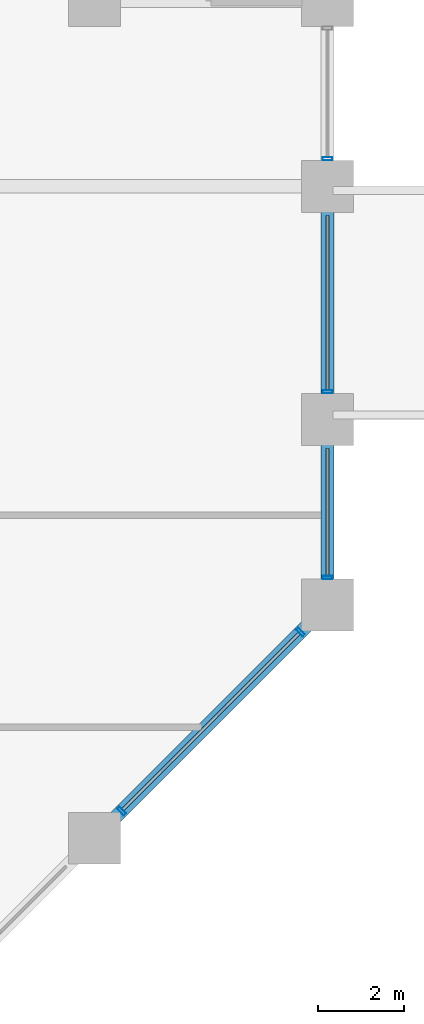
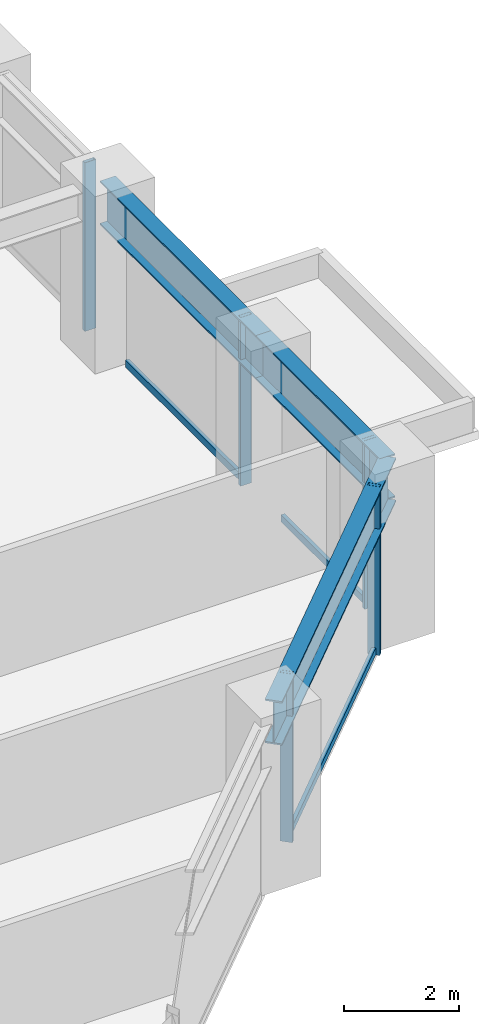
# One storey, part 16 of 26: 8 members, 3 beams, 2 elements without a shape of their own.
"""IFC4 building model written with IfcOpenShell, lengths in metres."""

from ifc_helpers import new_model, si_unit, direction, frame, origin, origin_2d, place, context, subcontext, project, spatial, hollow_rectangle, i_section, extrude, material, layer, layer_set, material_profile, profile_set, type_object, element, aggregate, save


model = new_model("IFC4")

# Units and contexts
model_context = context("Model", 3, precision=1e-05, world=origin(), true_north=direction((0.0, 1.0)))
body_context = subcontext(model_context, "Body", "Model", "MODEL_VIEW")
ifc_project = project(units=[si_unit("LENGTHUNIT", "METRE"), si_unit("AREAUNIT", "SQUARE_METRE"), si_unit("VOLUMEUNIT", "CUBIC_METRE"), si_unit("PLANEANGLEUNIT", "RADIAN"), si_unit("MASSUNIT", "GRAM", prefix="KILO")], contexts=[model_context])

# Site, building, storey
site_placement = place(None, origin())
site = spatial("IfcSite", under=ifc_project, at=site_placement, CompositionType="ELEMENT")
building_placement = place(site_placement, origin())
building = spatial("IfcBuilding", under=site, at=building_placement, Name="Surkhivell Harbour Commons", CompositionType="ELEMENT")
storey_placement = place(building_placement, frame((0.0, 0.0, 71.25)))
storey = spatial("IfcBuildingStorey", under=building, at=storey_placement, Name="L18", CompositionType="ELEMENT", Elevation=71.25)

# Beams
ifc_material_1 = material(Name="Steel S460", Category="steel")
ifc_material_profile_1 = material_profile(ifc_material_1, i_section(OverallWidth=0.30810546875, OverallDepth=0.927001953125, WebThickness=0.01953125, FlangeThickness=0.031982421875, at=origin_2d()), Name="UB914x305x289")
ifc_profile_set_1 = profile_set([ifc_material_profile_1], Name="Steel S460")
beam_type = type_object("IfcBeamType", Name="BM-SPN-914B", PredefinedType="SPANDREL", material=ifc_profile_set_1)
beam_1_placement = place(storey_placement, frame((27.0, 1.10009765625, 3.1064453125), z_axis=(0.707106781187, 0.707106781187, 0.0), x_axis=(-0.707106781187, 0.707106781187, 0.0)))
element("IfcBeam", 1, at=beam_1_placement, inside=storey, type_object=beam_type, Name="L18 Tube Spandrel (27.0,1.1)", PredefinedType="SPANDREL", context=body_context, shape_type="SweptSolid", body=[
    extrude(i_section(OverallWidth=0.30810546875, OverallDepth=0.927001953125, WebThickness=0.01953125, FlangeThickness=0.031982421875, at=origin_2d()), origin(), (0.0, 0.0, 1.0), 7.63671875),
])
beam_2_placement = place(storey_placement, frame((32.39990234375, 6.5, 3.1064453125), z_axis=(0.0, 1.0, 0.0), x_axis=(-1.0, 0.0, 0.0)))
element("IfcBeam", 2, at=beam_2_placement, inside=storey, type_object=beam_type, Name="L18 Tube Spandrel (32.4,6.5)", PredefinedType="SPANDREL", context=body_context, shape_type="SweptSolid", body=[
    extrude(i_section(OverallWidth=0.30810546875, OverallDepth=0.927001953125, WebThickness=0.01953125, FlangeThickness=0.031982421875, at=origin_2d()), origin(), (0.0, 0.0, 1.0), 4.300048828125),
])
beam_3_placement = place(storey_placement, frame((32.39990234375, 10.800048828125, 3.1064453125), z_axis=(0.0, 1.0, 0.0), x_axis=(-1.0, 0.0, 0.0)))
element("IfcBeam", 3, at=beam_3_placement, inside=storey, type_object=beam_type, Name="L18 Tube Spandrel (32.4,10.8)", PredefinedType="SPANDREL", context=body_context, shape_type="SweptSolid", body=[
    extrude(i_section(OverallWidth=0.30810546875, OverallDepth=0.927001953125, WebThickness=0.01953125, FlangeThickness=0.031982421875, at=origin_2d()), origin(), (0.0, 0.0, 1.0), 5.39990234375),
])

# Curtain wall, members
ifc_material_2 = material(Name="Anodised pale-metal aluminium and insulated glazing", Category="aluminium")
ifc_layer = layer(ifc_material_2, 0.219970703125)
ifc_layer_set = layer_set([ifc_layer], Name="Anodised pale-metal aluminium and insulated glazing")
curtain_wall_type = type_object("IfcCurtainWallType", Name="CW-SYS-Z1", PredefinedType="NOTDEFINED", material=ifc_layer_set)
curtain_wall_1_placement = place(storey_placement, origin())
curtain_wall_1 = element("IfcCurtainWall", 4, at=curtain_wall_1_placement, inside=storey, type_object=curtain_wall_type, Name="L18 Curtain Wall CW-L18-E01", PredefinedType="NOTDEFINED")
ifc_material_3 = material(Name="Anodised pale-metal aluminium alloy 6063-T6", Category="aluminium")
ifc_material_profile_2 = material_profile(ifc_material_3, hollow_rectangle(XDim=0.074951171875, YDim=0.219970703125, WallThickness=0.00390625, at=origin_2d()), Name="ALU-MULL-75x220")
ifc_profile_set_2 = profile_set([ifc_material_profile_2], Name="Anodised pale-metal aluminium alloy 6063-T6")
member_type_1 = type_object("IfcMemberType", Name="CWM-220", PredefinedType="MULLION", material=ifc_profile_set_2)
member_1_placement = place(storey_placement, frame((27.628173828125, 1.728271484375, 0.0), z_axis=(0.0, 0.0, 1.0), x_axis=(0.707106781187, 0.707106781187, 0.0)))
member_1 = element("IfcMember", 5, at=member_1_placement, type_object=member_type_1, Name="CW-Z1 mullion 7", PredefinedType="MULLION", context=body_context, shape_type="SweptSolid", body=[
    extrude(hollow_rectangle(XDim=0.074951171875, YDim=0.219970703125, WallThickness=0.00390625, at=origin_2d()), origin(), (0.0, 0.0, 1.0), 3.570068359375),
])
member_2_placement = place(storey_placement, frame((31.771728515625, 5.871826171875, 0.0), z_axis=(0.0, 0.0, 1.0), x_axis=(0.707106781187, 0.707106781187, 0.0)))
member_2 = element("IfcMember", 6, at=member_2_placement, type_object=member_type_1, Name="CW-Z1 mullion 8", PredefinedType="MULLION", context=body_context, shape_type="SweptSolid", body=[
    extrude(hollow_rectangle(XDim=0.074951171875, YDim=0.219970703125, WallThickness=0.00390625, at=origin_2d()), origin(), (0.0, 0.0, 1.0), 3.570068359375),
])

curtain_wall_2_placement = place(storey_placement, origin())
curtain_wall_2 = element("IfcCurtainWall", 7, at=curtain_wall_2_placement, inside=storey, type_object=curtain_wall_type, Name="L18 Curtain Wall CW-L18-E02", PredefinedType="NOTDEFINED")
member_3_placement = place(storey_placement, frame((32.39990234375, 7.139404296875, 0.0), z_axis=(0.0, 0.0, 1.0), x_axis=(0.0, 1.0, 0.0)))
member_3 = element("IfcMember", 8, at=member_3_placement, type_object=member_type_1, Name="CW-Z1 mullion 1", PredefinedType="MULLION", context=body_context, shape_type="SweptSolid", body=[
    extrude(hollow_rectangle(XDim=0.074951171875, YDim=0.219970703125, WallThickness=0.00390625, at=origin_2d()), origin(), (0.0, 0.0, 1.0), 3.570068359375),
])
member_4_placement = place(storey_placement, frame((32.39990234375, 11.439453125, 0.0), z_axis=(0.0, 0.0, 1.0), x_axis=(0.0, 1.0, 0.0)))
member_4 = element("IfcMember", 9, at=member_4_placement, type_object=member_type_1, Name="CW-Z1 mullion 2", PredefinedType="MULLION", context=body_context, shape_type="SweptSolid", body=[
    extrude(hollow_rectangle(XDim=0.074951171875, YDim=0.219970703125, WallThickness=0.00390625, at=origin_2d()), origin(), (0.0, 0.0, 1.0), 3.570068359375),
])
member_5_placement = place(storey_placement, frame((32.39990234375, 16.839599609375, 0.0), z_axis=(0.0, 0.0, 1.0), x_axis=(0.0, 1.0, 0.0)))
member_5 = element("IfcMember", 10, at=member_5_placement, type_object=member_type_1, Name="CW-Z1 mullion 3", PredefinedType="MULLION", context=body_context, shape_type="SweptSolid", body=[
    extrude(hollow_rectangle(XDim=0.074951171875, YDim=0.219970703125, WallThickness=0.00390625, at=origin_2d()), origin(), (0.0, 0.0, 1.0), 3.570068359375),
])

# Member
ifc_material_profile_3 = material_profile(ifc_material_3, hollow_rectangle(XDim=0.074951171875, YDim=0.14990234375, WallThickness=0.00341796875, at=origin_2d()), Name="ALU-TRAN-75x150")
ifc_profile_set_3 = profile_set([ifc_material_profile_3], Name="Anodised pale-metal aluminium alloy 6063-T6")
member_type_2 = type_object("IfcMemberType", Name="CWT-150", PredefinedType="USERDEFINED", material=ifc_profile_set_3)
member_6_placement = place(storey_placement, frame((27.65478515625, 1.7548828125, 0.074951171875), z_axis=(0.707106781187, 0.707106781187, 0.0), x_axis=(-0.707106781187, 0.707106781187, 0.0)))
member_6 = element("IfcMember", 11, at=member_6_placement, type_object=member_type_2, Name="CW-Z1 transom 7.1", ObjectType="TRANSOM", PredefinedType="USERDEFINED", context=body_context, shape_type="SweptSolid", body=[
    extrude(hollow_rectangle(XDim=0.074951171875, YDim=0.14990234375, WallThickness=0.00341796875, at=origin_2d()), origin(), (0.0, 0.0, 1.0), 5.78466796875),
])

aggregate(curtain_wall_1, [member_1, member_2, member_6])

member_7_placement = place(storey_placement, frame((32.39990234375, 7.177001953125, 0.074951171875), z_axis=(0.0, 1.0, 0.0), x_axis=(-1.0, 0.0, 0.0)))
member_7 = element("IfcMember", 12, at=member_7_placement, type_object=member_type_2, Name="CW-Z1 transom 1.1", ObjectType="TRANSOM", PredefinedType="USERDEFINED", context=body_context, shape_type="SweptSolid", body=[
    extrude(hollow_rectangle(XDim=0.074951171875, YDim=0.14990234375, WallThickness=0.00341796875, at=origin_2d()), origin(), (0.0, 0.0, 1.0), 2.946044921875),
])

member_8_placement = place(storey_placement, frame((32.39990234375, 11.47705078125, 0.074951171875), z_axis=(0.0, 1.0, 0.0), x_axis=(-1.0, 0.0, 0.0)))
member_8 = element("IfcMember", 13, at=member_8_placement, type_object=member_type_2, Name="CW-Z1 transom 2.1", ObjectType="TRANSOM", PredefinedType="USERDEFINED", context=body_context, shape_type="SweptSolid", body=[
    extrude(hollow_rectangle(XDim=0.074951171875, YDim=0.14990234375, WallThickness=0.00341796875, at=origin_2d()), origin(), (0.0, 0.0, 1.0), 4.0458984375),
])

aggregate(curtain_wall_2, [member_3, member_7, member_4, member_8, member_5])

save(model, "model.ifc")
